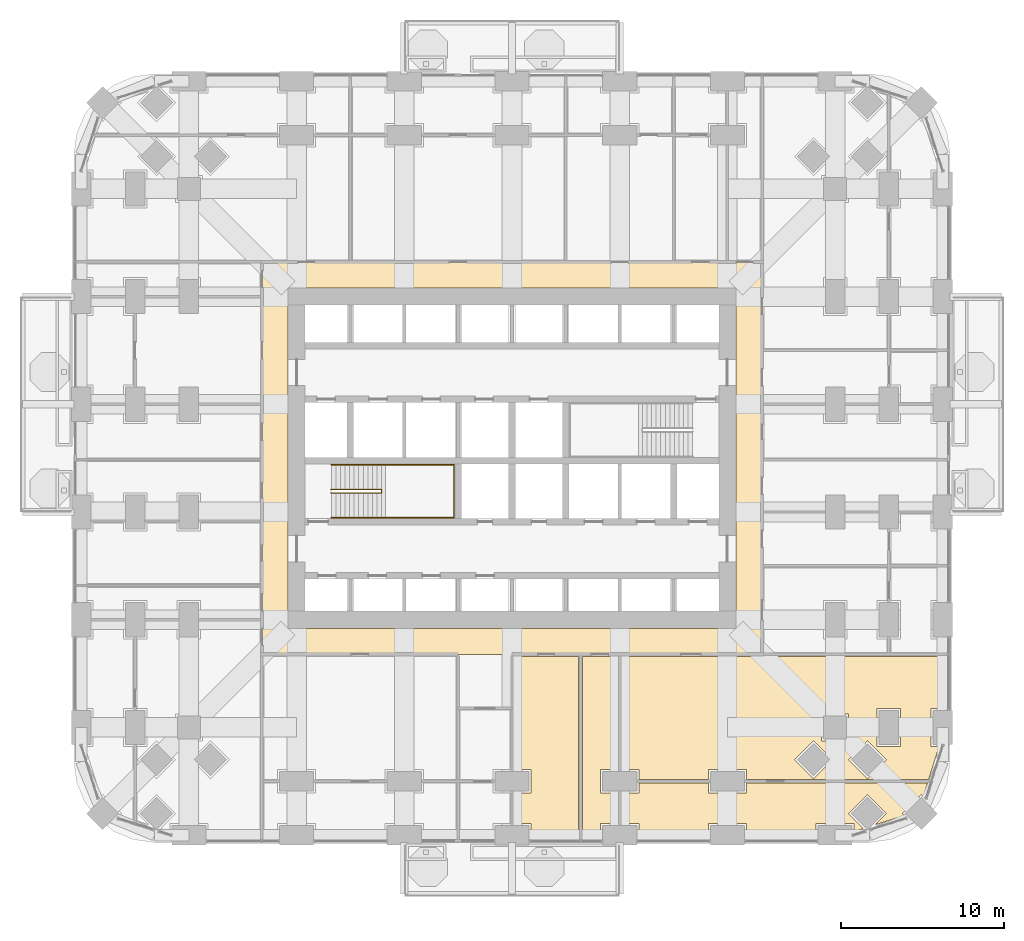
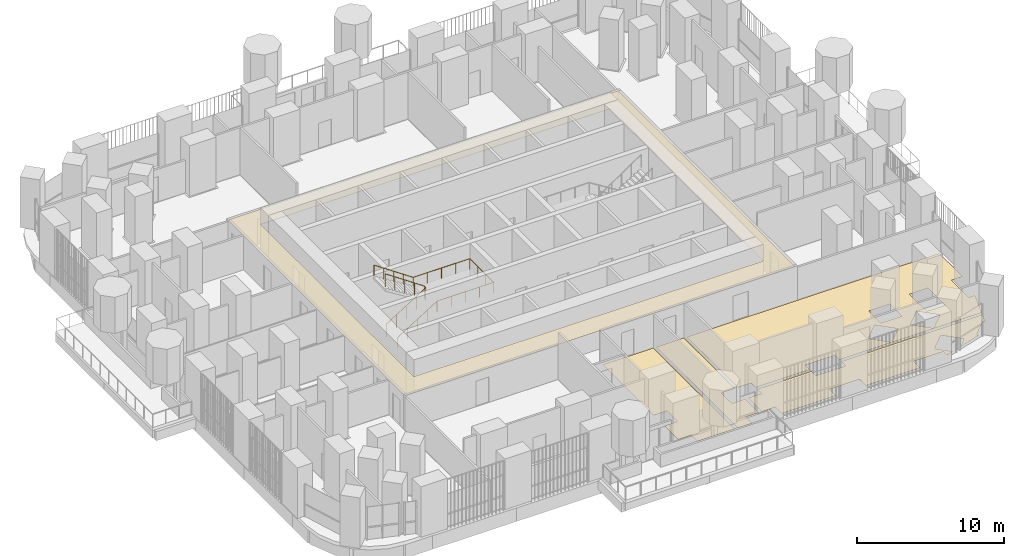
# One storey, part 23 of 26: 5 coverings, 2 railings.
"""IFC4 building model written with IfcOpenShell, lengths in metres."""

from ifc_helpers import new_model, si_unit, direction, frame, origin, place, context, subcontext, project, spatial, polyline, outline, extrude, material, layer, layer_set, type_object, element, save


model = new_model("IFC4")

# Units and contexts
model_context = context("Model", 3, precision=1e-05, world=origin(), true_north=direction((0.0, 1.0)))
body_context = subcontext(model_context, "Body", "Model", "MODEL_VIEW")
ifc_project = project(units=[si_unit("LENGTHUNIT", "METRE"), si_unit("AREAUNIT", "SQUARE_METRE"), si_unit("VOLUMEUNIT", "CUBIC_METRE"), si_unit("PLANEANGLEUNIT", "RADIAN"), si_unit("MASSUNIT", "GRAM", prefix="KILO")], contexts=[model_context])

# Site, building, storey
site_placement = place(None, origin())
site = spatial("IfcSite", under=ifc_project, at=site_placement, CompositionType="ELEMENT")
building_placement = place(site_placement, origin())
building = spatial("IfcBuilding", under=site, at=building_placement, Name="Cobogo Forest Laboratory Tower", CompositionType="ELEMENT")
storey_placement = place(building_placement, frame((0.0, 0.0, 50.699951171875)))
storey = spatial("IfcBuildingStorey", under=building, at=storey_placement, Name="L11", CompositionType="ELEMENT", Elevation=50.699951171875)

# Coverings
ifc_material_1 = material(Name="Mineral fibre ceiling tile", Category="ceiling")
ifc_layer_1 = layer(ifc_material_1, 0.02001953125)
ifc_layer_set_1 = layer_set([ifc_layer_1], Name="CL1 suspended ceiling")
covering_type_1 = type_object("IfcCoveringType", Name="CL1 suspended ceiling", PredefinedType="CEILING", material=ifc_layer_set_1)
covering_1_placement = place(storey_placement, frame((0.0, 0.0, 2.800048828125)))
element("IfcCovering", 1, at=covering_1_placement, inside=storey, type_object=covering_type_1, Name="Corridor ceiling L11", PredefinedType="CEILING", context=body_context, shape_type="SweptSolid", body=[
    extrude(outline(polyline([(11.074951171875, 11.074951171875), (11.074951171875, 35.125), (41.72509765625, 35.125), (41.72509765625, 11.074951171875), (11.074951171875, 11.074951171875)]), holes=[polyline([(40.125, 33.52490234375), (12.675048828125, 33.52490234375), (12.675048828125, 12.675048828125), (40.125, 12.675048828125), (40.125, 33.52490234375)])]), origin(), (0.0, 0.0, 1.0), 0.02001953125),
])
ifc_material_2 = material(Name="Carpet tile on raised access floor", Category="flooring")
ifc_layer_2 = layer(ifc_material_2, 0.008056640625)
ifc_layer_set_2 = layer_set([ifc_layer_2], Name="CT1 carpet tile floor 8")
covering_type_2 = type_object("IfcCoveringType", Name="CT1 carpet tile floor 8", PredefinedType="FLOORING", material=ifc_layer_set_2)
covering_2_placement = place(storey_placement, origin())
element("IfcCovering", 2, at=covering_2_placement, inside=storey, type_object=covering_type_2, Name="Carpet floor L11-05", PredefinedType="FLOORING", context=body_context, shape_type="SweptSolid", body=[
    extrude(outline(polyline([(30.47998046875, 10.955078125), (30.47998046875, -0.14990234375), (27.570068359375, -0.14990234375), (27.570068359375, 0.719970703125), (26.52001953125, 0.719970703125), (26.52001953125, 2.580078125), (27.570068359375, 2.580078125), (27.570068359375, 4.02001953125), (26.52001953125, 4.02001953125), (26.52001953125, 10.955078125), (30.47998046875, 10.955078125)])), origin(), (0.0, 0.0, 1.0), 0.008056640625),
])
covering_3_placement = place(storey_placement, origin())
element("IfcCovering", 3, at=covering_3_placement, inside=storey, type_object=covering_type_2, Name="Carpet floor L11-08", PredefinedType="FLOORING", context=body_context, shape_type="SweptSolid", body=[
    extrude(outline(polyline([(38.429931640625, 3.179931640625), (38.429931640625, 2.580078125), (40.77001953125, 2.580078125), (40.77001953125, 3.179931640625), (51.8603515625, 3.179931640625), (51.600830078125, 2.358642578125), (51.48193359375, 2.477783203125), (50.322265625, 1.318115234375), (50.441162109375, 1.19921875), (48.660400390625, 0.63671875), (49.341552734375, 1.318115234375), (48.181884765625, 2.477783203125), (47.022216796875, 1.318115234375), (47.933349609375, 0.406982421875), (47.3701171875, 0.229248046875), (47.3701171875, 0.719970703125), (45.030029296875, 0.719970703125), (45.030029296875, -0.14990234375), (40.77001953125, -0.14990234375), (40.77001953125, 0.719970703125), (38.429931640625, 0.719970703125), (38.429931640625, -0.14990234375), (34.169921875, -0.14990234375), (34.169921875, 0.719970703125), (33.1201171875, 0.719970703125), (33.1201171875, 2.580078125), (34.169921875, 2.580078125), (34.169921875, 3.179931640625), (38.429931640625, 3.179931640625)])), origin(), (0.0, 0.0, 1.0), 0.008056640625),
])

# Railings
ifc_material_3 = material(Name="Steel balustrade", Category="steel")
railing_type_1 = type_object("IfcRailingType", Name="GR stair guard 1100", PredefinedType="GUARDRAIL", material=ifc_material_3)
railing_1_placement = place(storey_placement, frame((15.324951171875, 20.969970703125, 0.175048828125)))
element("IfcRailing", 4, at=railing_1_placement, inside=storey, type_object=railing_type_1, Name="Stair guard ST1 L11", PredefinedType="GUARDRAIL", context=body_context, shape_type="SweptSolid", body=[
    extrude(outline(polyline([(0.022216796875, 0.00927734375), (0.00927734375, 0.022216796875), (-0.00927734375, 0.022216796875), (-0.022216796875, 0.00927734375), (-0.022216796875, -0.00927734375), (-0.00927734375, -0.022216796875), (0.00927734375, -0.022216796875), (0.022216796875, -0.00927734375), (0.022216796875, 0.00927734375)])), frame((0.0, 0.0, 1.077880859375), z_axis=(0.847998304005, 0.0, 0.529998940003), x_axis=(0.0, 1.0, 0.0)), (0.0, 0.0, 1.0), 3.632080078125),
    extrude(outline(polyline([(0.022216796875, 0.00927734375), (0.00927734375, 0.022216796875), (-0.00927734375, 0.022216796875), (-0.022216796875, 0.00927734375), (-0.022216796875, -0.00927734375), (-0.00927734375, -0.022216796875), (0.00927734375, -0.022216796875), (0.022216796875, -0.00927734375), (0.022216796875, 0.00927734375)])), frame((3.080078125, 0.0, 3.0029296875), z_axis=(0.0, 1.0, 0.0), x_axis=(-1.0, 0.0, 0.0)), (0.0, 0.0, 1.0), 0.2099609375),
    extrude(outline(polyline([(0.022216796875, 0.00927734375), (0.00927734375, 0.022216796875), (-0.00927734375, 0.022216796875), (-0.022216796875, 0.00927734375), (-0.022216796875, -0.00927734375), (-0.00927734375, -0.022216796875), (0.00927734375, -0.022216796875), (0.022216796875, -0.00927734375), (0.022216796875, 0.00927734375)])), frame((3.080078125, 0.2099609375, 3.0029296875), z_axis=(-0.826252282691, 0.0, 0.563300244406), x_axis=(0.0, -1.0, 0.0)), (0.0, 0.0, 1.0), 3.727783203125),
    extrude(outline(polyline([(0.019287109375, 0.008056640625), (0.008056640625, 0.019287109375), (-0.008056640625, 0.019287109375), (-0.019287109375, 0.008056640625), (-0.019287109375, -0.008056640625), (-0.008056640625, -0.019287109375), (0.008056640625, -0.019287109375), (0.019287109375, -0.008056640625), (0.019287109375, 0.008056640625)])), origin(), (0.0, 0.0, 1.0), 1.077880859375),
    extrude(outline(polyline([(0.019287109375, 0.008056640625), (0.008056640625, 0.019287109375), (-0.008056640625, 0.019287109375), (-0.019287109375, 0.008056640625), (-0.019287109375, -0.008056640625), (-0.008056640625, -0.019287109375), (0.008056640625, -0.019287109375), (0.019287109375, -0.008056640625), (0.019287109375, 0.008056640625)])), frame((0.77001953125, 0.0, 0.481201171875)), (0.0, 0.0, 1.0), 1.077880859375),
    extrude(outline(polyline([(0.019287109375, 0.008056640625), (0.008056640625, 0.019287109375), (-0.008056640625, 0.019287109375), (-0.019287109375, 0.008056640625), (-0.019287109375, -0.008056640625), (-0.008056640625, -0.019287109375), (0.008056640625, -0.019287109375), (0.019287109375, -0.008056640625), (0.019287109375, 0.008056640625)])), frame((1.5400390625, 0.0, 0.96240234375)), (0.0, 0.0, 1.0), 1.077880859375),
    extrude(outline(polyline([(0.019287109375, 0.008056640625), (0.008056640625, 0.019287109375), (-0.008056640625, 0.019287109375), (-0.019287109375, 0.008056640625), (-0.019287109375, -0.008056640625), (-0.008056640625, -0.019287109375), (0.008056640625, -0.019287109375), (0.019287109375, -0.008056640625), (0.019287109375, 0.008056640625)])), frame((2.31005859375, 0.0, 1.44384765625)), (0.0, 0.0, 1.0), 1.077880859375),
    extrude(outline(polyline([(0.019287109375, 0.008056640625), (0.008056640625, 0.019287109375), (-0.008056640625, 0.019287109375), (-0.019287109375, 0.008056640625), (-0.019287109375, -0.008056640625), (-0.008056640625, -0.019287109375), (0.008056640625, -0.019287109375), (0.019287109375, -0.008056640625), (0.019287109375, 0.008056640625)])), frame((3.080078125, 0.0, 1.925048828125)), (0.0, 0.0, 1.0), 1.077880859375),
    extrude(outline(polyline([(0.019287109375, 0.008056640625), (0.008056640625, 0.019287109375), (-0.008056640625, 0.019287109375), (-0.019287109375, 0.008056640625), (-0.019287109375, -0.008056640625), (-0.008056640625, -0.019287109375), (0.008056640625, -0.019287109375), (0.019287109375, -0.008056640625), (0.019287109375, 0.008056640625)])), frame((3.080078125, 0.2099609375, 1.925048828125)), (0.0, 0.0, 1.0), 1.077880859375),
    extrude(outline(polyline([(0.019287109375, 0.008056640625), (0.008056640625, 0.019287109375), (-0.008056640625, 0.019287109375), (-0.019287109375, 0.008056640625), (-0.019287109375, -0.008056640625), (-0.008056640625, -0.019287109375), (0.008056640625, -0.019287109375), (0.019287109375, -0.008056640625), (0.019287109375, 0.008056640625)])), frame((2.31005859375, 0.2099609375, 2.449951171875)), (0.0, 0.0, 1.0), 1.077880859375),
    extrude(outline(polyline([(0.019287109375, 0.008056640625), (0.008056640625, 0.019287109375), (-0.008056640625, 0.019287109375), (-0.019287109375, 0.008056640625), (-0.019287109375, -0.008056640625), (-0.008056640625, -0.019287109375), (0.008056640625, -0.019287109375), (0.019287109375, -0.008056640625), (0.019287109375, 0.008056640625)])), frame((1.5400390625, 0.2099609375, 2.97509765625)), (0.0, 0.0, 1.0), 1.077880859375),
    extrude(outline(polyline([(0.019287109375, 0.008056640625), (0.008056640625, 0.019287109375), (-0.008056640625, 0.019287109375), (-0.019287109375, 0.008056640625), (-0.019287109375, -0.008056640625), (-0.008056640625, -0.019287109375), (0.008056640625, -0.019287109375), (0.019287109375, -0.008056640625), (0.019287109375, 0.008056640625)])), frame((0.77001953125, 0.2099609375, 3.5)), (0.0, 0.0, 1.0), 1.077880859375),
    extrude(outline(polyline([(0.019287109375, 0.008056640625), (0.008056640625, 0.019287109375), (-0.008056640625, 0.019287109375), (-0.019287109375, 0.008056640625), (-0.019287109375, -0.008056640625), (-0.008056640625, -0.019287109375), (0.008056640625, -0.019287109375), (0.019287109375, -0.008056640625), (0.019287109375, 0.008056640625)])), frame((0.0, 0.2099609375, 4.02490234375)), (0.0, 0.0, 1.0), 1.077880859375),
])
ifc_material_4 = material(Name="Stainless steel handrail", Category="steel")
railing_type_2 = type_object("IfcRailingType", Name="HR handrail 900", PredefinedType="HANDRAIL", material=ifc_material_4)
railing_2_placement = place(storey_placement, frame((15.324951171875, 19.449951171875, 0.175048828125)))
element("IfcRailing", 5, at=railing_2_placement, inside=storey, type_object=railing_type_2, Name="Stair handrail ST1 L11", PredefinedType="HANDRAIL", context=body_context, shape_type="SweptSolid", body=[
    extrude(outline(polyline([(0.022216796875, 0.00927734375), (0.00927734375, 0.022216796875), (-0.00927734375, 0.022216796875), (-0.022216796875, 0.00927734375), (-0.022216796875, -0.00927734375), (-0.00927734375, -0.022216796875), (0.00927734375, -0.022216796875), (0.022216796875, -0.00927734375), (0.022216796875, 0.00927734375)])), frame((0.0, 0.0, 0.877685546875), z_axis=(0.847998304005, 0.0, 0.529998940003), x_axis=(0.0, 1.0, 0.0)), (0.0, 0.0, 1.0), 3.632080078125),
    extrude(outline(polyline([(0.022216796875, 0.00927734375), (0.00927734375, 0.022216796875), (-0.00927734375, 0.022216796875), (-0.022216796875, 0.00927734375), (-0.022216796875, -0.00927734375), (-0.00927734375, -0.022216796875), (0.00927734375, -0.022216796875), (0.022216796875, -0.00927734375), (0.022216796875, 0.00927734375)])), frame((3.080078125, 0.0, 2.802734375), z_axis=(1.0, 0.0, 0.0), x_axis=(0.0, 1.0, 0.0)), (0.0, 0.0, 1.0), 4.445068359375),
    extrude(outline(polyline([(0.022216796875, 0.00927734375), (0.00927734375, 0.022216796875), (-0.00927734375, 0.022216796875), (-0.022216796875, 0.00927734375), (-0.022216796875, -0.00927734375), (-0.00927734375, -0.022216796875), (0.00927734375, -0.022216796875), (0.022216796875, -0.00927734375), (0.022216796875, 0.00927734375)])), frame((7.525146484375, 0.0, 2.802734375), z_axis=(0.0, 1.0, 0.0), x_axis=(-1.0, 0.0, 0.0)), (0.0, 0.0, 1.0), 3.25),
    extrude(outline(polyline([(0.022216796875, 0.00927734375), (0.00927734375, 0.022216796875), (-0.00927734375, 0.022216796875), (-0.022216796875, 0.00927734375), (-0.022216796875, -0.00927734375), (-0.00927734375, -0.022216796875), (0.00927734375, -0.022216796875), (0.022216796875, -0.00927734375), (0.022216796875, 0.00927734375)])), frame((7.525146484375, 3.25, 2.802734375), z_axis=(-1.0, 0.0, 0.0), x_axis=(0.0, -1.0, 0.0)), (0.0, 0.0, 1.0), 4.445068359375),
    extrude(outline(polyline([(0.022216796875, 0.00927734375), (0.00927734375, 0.022216796875), (-0.00927734375, 0.022216796875), (-0.022216796875, 0.00927734375), (-0.022216796875, -0.00927734375), (-0.00927734375, -0.022216796875), (0.00927734375, -0.022216796875), (0.022216796875, -0.00927734375), (0.022216796875, 0.00927734375)])), frame((3.080078125, 3.25, 2.802734375), z_axis=(-0.826252282691, 0.0, 0.563300244406), x_axis=(0.0, -1.0, 0.0)), (0.0, 0.0, 1.0), 3.727783203125),
    extrude(outline(polyline([(0.019287109375, 0.008056640625), (0.008056640625, 0.019287109375), (-0.008056640625, 0.019287109375), (-0.019287109375, 0.008056640625), (-0.019287109375, -0.008056640625), (-0.008056640625, -0.019287109375), (0.008056640625, -0.019287109375), (0.019287109375, -0.008056640625), (0.019287109375, 0.008056640625)])), origin(), (0.0, 0.0, 1.0), 0.877685546875),
    extrude(outline(polyline([(0.019287109375, 0.008056640625), (0.008056640625, 0.019287109375), (-0.008056640625, 0.019287109375), (-0.019287109375, 0.008056640625), (-0.019287109375, -0.008056640625), (-0.008056640625, -0.019287109375), (0.008056640625, -0.019287109375), (0.019287109375, -0.008056640625), (0.019287109375, 0.008056640625)])), frame((0.77001953125, 0.0, 0.481201171875)), (0.0, 0.0, 1.0), 0.877685546875),
    extrude(outline(polyline([(0.019287109375, 0.008056640625), (0.008056640625, 0.019287109375), (-0.008056640625, 0.019287109375), (-0.019287109375, 0.008056640625), (-0.019287109375, -0.008056640625), (-0.008056640625, -0.019287109375), (0.008056640625, -0.019287109375), (0.019287109375, -0.008056640625), (0.019287109375, 0.008056640625)])), frame((1.5400390625, 0.0, 0.96240234375)), (0.0, 0.0, 1.0), 0.877685546875),
    extrude(outline(polyline([(0.019287109375, 0.008056640625), (0.008056640625, 0.019287109375), (-0.008056640625, 0.019287109375), (-0.019287109375, 0.008056640625), (-0.019287109375, -0.008056640625), (-0.008056640625, -0.019287109375), (0.008056640625, -0.019287109375), (0.019287109375, -0.008056640625), (0.019287109375, 0.008056640625)])), frame((2.31005859375, 0.0, 1.44384765625)), (0.0, 0.0, 1.0), 0.877685546875),
    extrude(outline(polyline([(0.019287109375, 0.008056640625), (0.008056640625, 0.019287109375), (-0.008056640625, 0.019287109375), (-0.019287109375, 0.008056640625), (-0.019287109375, -0.008056640625), (-0.008056640625, -0.019287109375), (0.008056640625, -0.019287109375), (0.019287109375, -0.008056640625), (0.019287109375, 0.008056640625)])), frame((3.080078125, 0.0, 1.925048828125)), (0.0, 0.0, 1.0), 0.877685546875),
    extrude(outline(polyline([(0.019287109375, 0.008056640625), (0.008056640625, 0.019287109375), (-0.008056640625, 0.019287109375), (-0.019287109375, 0.008056640625), (-0.019287109375, -0.008056640625), (-0.008056640625, -0.019287109375), (0.008056640625, -0.019287109375), (0.019287109375, -0.008056640625), (0.019287109375, 0.008056640625)])), frame((4.19140625, 0.0, 1.925048828125)), (0.0, 0.0, 1.0), 0.877685546875),
    extrude(outline(polyline([(0.019287109375, 0.008056640625), (0.008056640625, 0.019287109375), (-0.008056640625, 0.019287109375), (-0.019287109375, 0.008056640625), (-0.019287109375, -0.008056640625), (-0.008056640625, -0.019287109375), (0.008056640625, -0.019287109375), (0.019287109375, -0.008056640625), (0.019287109375, 0.008056640625)])), frame((5.302734375, 0.0, 1.925048828125)), (0.0, 0.0, 1.0), 0.877685546875),
    extrude(outline(polyline([(0.019287109375, 0.008056640625), (0.008056640625, 0.019287109375), (-0.008056640625, 0.019287109375), (-0.019287109375, 0.008056640625), (-0.019287109375, -0.008056640625), (-0.008056640625, -0.019287109375), (0.008056640625, -0.019287109375), (0.019287109375, -0.008056640625), (0.019287109375, 0.008056640625)])), frame((6.413818359375, 0.0, 1.925048828125)), (0.0, 0.0, 1.0), 0.877685546875),
    extrude(outline(polyline([(0.019287109375, 0.008056640625), (0.008056640625, 0.019287109375), (-0.008056640625, 0.019287109375), (-0.019287109375, 0.008056640625), (-0.019287109375, -0.008056640625), (-0.008056640625, -0.019287109375), (0.008056640625, -0.019287109375), (0.019287109375, -0.008056640625), (0.019287109375, 0.008056640625)])), frame((7.525146484375, 0.0, 1.925048828125)), (0.0, 0.0, 1.0), 0.877685546875),
    extrude(outline(polyline([(0.019287109375, 0.008056640625), (0.008056640625, 0.019287109375), (-0.008056640625, 0.019287109375), (-0.019287109375, 0.008056640625), (-0.019287109375, -0.008056640625), (-0.008056640625, -0.019287109375), (0.008056640625, -0.019287109375), (0.019287109375, -0.008056640625), (0.019287109375, 0.008056640625)])), frame((7.525146484375, 1.083251953125, 1.925048828125)), (0.0, 0.0, 1.0), 0.877685546875),
    extrude(outline(polyline([(0.019287109375, 0.008056640625), (0.008056640625, 0.019287109375), (-0.008056640625, 0.019287109375), (-0.019287109375, 0.008056640625), (-0.019287109375, -0.008056640625), (-0.008056640625, -0.019287109375), (0.008056640625, -0.019287109375), (0.019287109375, -0.008056640625), (0.019287109375, 0.008056640625)])), frame((7.525146484375, 2.166748046875, 1.925048828125)), (0.0, 0.0, 1.0), 0.877685546875),
    extrude(outline(polyline([(0.019287109375, 0.008056640625), (0.008056640625, 0.019287109375), (-0.008056640625, 0.019287109375), (-0.019287109375, 0.008056640625), (-0.019287109375, -0.008056640625), (-0.008056640625, -0.019287109375), (0.008056640625, -0.019287109375), (0.019287109375, -0.008056640625), (0.019287109375, 0.008056640625)])), frame((7.525146484375, 3.25, 1.925048828125)), (0.0, 0.0, 1.0), 0.877685546875),
    extrude(outline(polyline([(0.019287109375, 0.008056640625), (0.008056640625, 0.019287109375), (-0.008056640625, 0.019287109375), (-0.019287109375, 0.008056640625), (-0.019287109375, -0.008056640625), (-0.008056640625, -0.019287109375), (0.008056640625, -0.019287109375), (0.019287109375, -0.008056640625), (0.019287109375, 0.008056640625)])), frame((6.413818359375, 3.25, 1.925048828125)), (0.0, 0.0, 1.0), 0.877685546875),
    extrude(outline(polyline([(0.019287109375, 0.008056640625), (0.008056640625, 0.019287109375), (-0.008056640625, 0.019287109375), (-0.019287109375, 0.008056640625), (-0.019287109375, -0.008056640625), (-0.008056640625, -0.019287109375), (0.008056640625, -0.019287109375), (0.019287109375, -0.008056640625), (0.019287109375, 0.008056640625)])), frame((5.302734375, 3.25, 1.925048828125)), (0.0, 0.0, 1.0), 0.877685546875),
    extrude(outline(polyline([(0.019287109375, 0.008056640625), (0.008056640625, 0.019287109375), (-0.008056640625, 0.019287109375), (-0.019287109375, 0.008056640625), (-0.019287109375, -0.008056640625), (-0.008056640625, -0.019287109375), (0.008056640625, -0.019287109375), (0.019287109375, -0.008056640625), (0.019287109375, 0.008056640625)])), frame((4.19140625, 3.25, 1.925048828125)), (0.0, 0.0, 1.0), 0.877685546875),
    extrude(outline(polyline([(0.019287109375, 0.008056640625), (0.008056640625, 0.019287109375), (-0.008056640625, 0.019287109375), (-0.019287109375, 0.008056640625), (-0.019287109375, -0.008056640625), (-0.008056640625, -0.019287109375), (0.008056640625, -0.019287109375), (0.019287109375, -0.008056640625), (0.019287109375, 0.008056640625)])), frame((3.080078125, 3.25, 1.925048828125)), (0.0, 0.0, 1.0), 0.877685546875),
    extrude(outline(polyline([(0.019287109375, 0.008056640625), (0.008056640625, 0.019287109375), (-0.008056640625, 0.019287109375), (-0.019287109375, 0.008056640625), (-0.019287109375, -0.008056640625), (-0.008056640625, -0.019287109375), (0.008056640625, -0.019287109375), (0.019287109375, -0.008056640625), (0.019287109375, 0.008056640625)])), frame((2.31005859375, 3.25, 2.449951171875)), (0.0, 0.0, 1.0), 0.877685546875),
    extrude(outline(polyline([(0.019287109375, 0.008056640625), (0.008056640625, 0.019287109375), (-0.008056640625, 0.019287109375), (-0.019287109375, 0.008056640625), (-0.019287109375, -0.008056640625), (-0.008056640625, -0.019287109375), (0.008056640625, -0.019287109375), (0.019287109375, -0.008056640625), (0.019287109375, 0.008056640625)])), frame((1.5400390625, 3.25, 2.97509765625)), (0.0, 0.0, 1.0), 0.877685546875),
    extrude(outline(polyline([(0.019287109375, 0.008056640625), (0.008056640625, 0.019287109375), (-0.008056640625, 0.019287109375), (-0.019287109375, 0.008056640625), (-0.019287109375, -0.008056640625), (-0.008056640625, -0.019287109375), (0.008056640625, -0.019287109375), (0.019287109375, -0.008056640625), (0.019287109375, 0.008056640625)])), frame((0.77001953125, 3.25, 3.5)), (0.0, 0.0, 1.0), 0.877685546875),
    extrude(outline(polyline([(0.019287109375, 0.008056640625), (0.008056640625, 0.019287109375), (-0.008056640625, 0.019287109375), (-0.019287109375, 0.008056640625), (-0.019287109375, -0.008056640625), (-0.008056640625, -0.019287109375), (0.008056640625, -0.019287109375), (0.019287109375, -0.008056640625), (0.019287109375, 0.008056640625)])), frame((0.0, 3.25, 4.02490234375)), (0.0, 0.0, 1.0), 0.877685546875),
])

# Coverings
ifc_material_5 = material(Name="Epoxy resin flooring", Category="flooring")
ifc_layer_3 = layer(ifc_material_5, 0.00390625)
ifc_layer_set_3 = layer_set([ifc_layer_3], Name="LF1 epoxy laboratory floor 4")
covering_type_3 = type_object("IfcCoveringType", Name="LF1 epoxy laboratory floor 4", PredefinedType="FLOORING", material=ifc_layer_set_3)
covering_4_placement = place(storey_placement, origin())
element("IfcCovering", 6, at=covering_4_placement, inside=storey, type_object=covering_type_3, Name="Epoxy laboratory floor L11-07", PredefinedType="FLOORING", context=body_context, shape_type="SweptSolid", body=[
    extrude(outline(polyline([(33.1201171875, 10.955078125), (52.949951171875, 10.955078125), (52.949951171875, 7.77001953125), (52.080078125, 7.77001953125), (52.080078125, 5.429931640625), (52.57080078125, 5.429931640625), (51.93603515625, 3.419921875), (40.77001953125, 3.419921875), (40.77001953125, 4.02001953125), (38.429931640625, 4.02001953125), (38.429931640625, 3.419921875), (34.169921875, 3.419921875), (34.169921875, 4.02001953125), (33.1201171875, 4.02001953125), (33.1201171875, 10.955078125)]), holes=[polyline([(48.780029296875, 5.429931640625), (50.219970703125, 5.429931640625), (50.219970703125, 7.77001953125), (48.780029296875, 7.77001953125), (48.780029296875, 5.429931640625)]), polyline([(48.181884765625, 5.777587890625), (47.022216796875, 4.617919921875), (48.181884765625, 3.458251953125), (49.341552734375, 4.617919921875), (48.181884765625, 5.777587890625)]), polyline([(45.3798828125, 7.419921875), (45.3798828125, 5.780029296875), (47.02001953125, 5.780029296875), (47.02001953125, 7.419921875), (45.3798828125, 7.419921875)]), polyline([(44.882080078125, 5.777587890625), (43.722412109375, 4.617919921875), (44.882080078125, 3.458251953125), (46.041748046875, 4.617919921875), (44.882080078125, 5.777587890625)])]), origin(), (0.0, 0.0, 1.0), 0.004150390625),
])
ifc_material_6 = material(Name="Ceramic floor tile", Category="flooring")
ifc_layer_4 = layer(ifc_material_6, 0.010009765625)
ifc_layer_set_4 = layer_set([ifc_layer_4], Name="TF1 ceramic tile floor 10")
covering_type_4 = type_object("IfcCoveringType", Name="TF1 ceramic tile floor 10", PredefinedType="FLOORING", material=ifc_layer_set_4)
covering_5_placement = place(storey_placement, origin())
element("IfcCovering", 7, at=covering_5_placement, inside=storey, type_object=covering_type_4, Name="Tile floor L11-06", PredefinedType="FLOORING", context=body_context, shape_type="SweptSolid", body=[
    extrude(outline(polyline([(32.8798828125, 10.955078125), (32.8798828125, 4.02001953125), (31.830078125, 4.02001953125), (31.830078125, 2.580078125), (32.8798828125, 2.580078125), (32.8798828125, 0.719970703125), (31.830078125, 0.719970703125), (31.830078125, -0.14990234375), (30.719970703125, -0.14990234375), (30.719970703125, 10.955078125), (32.8798828125, 10.955078125)])), origin(), (0.0, 0.0, 1.0), 0.010009765625),
])

save(model, "model.ifc")
